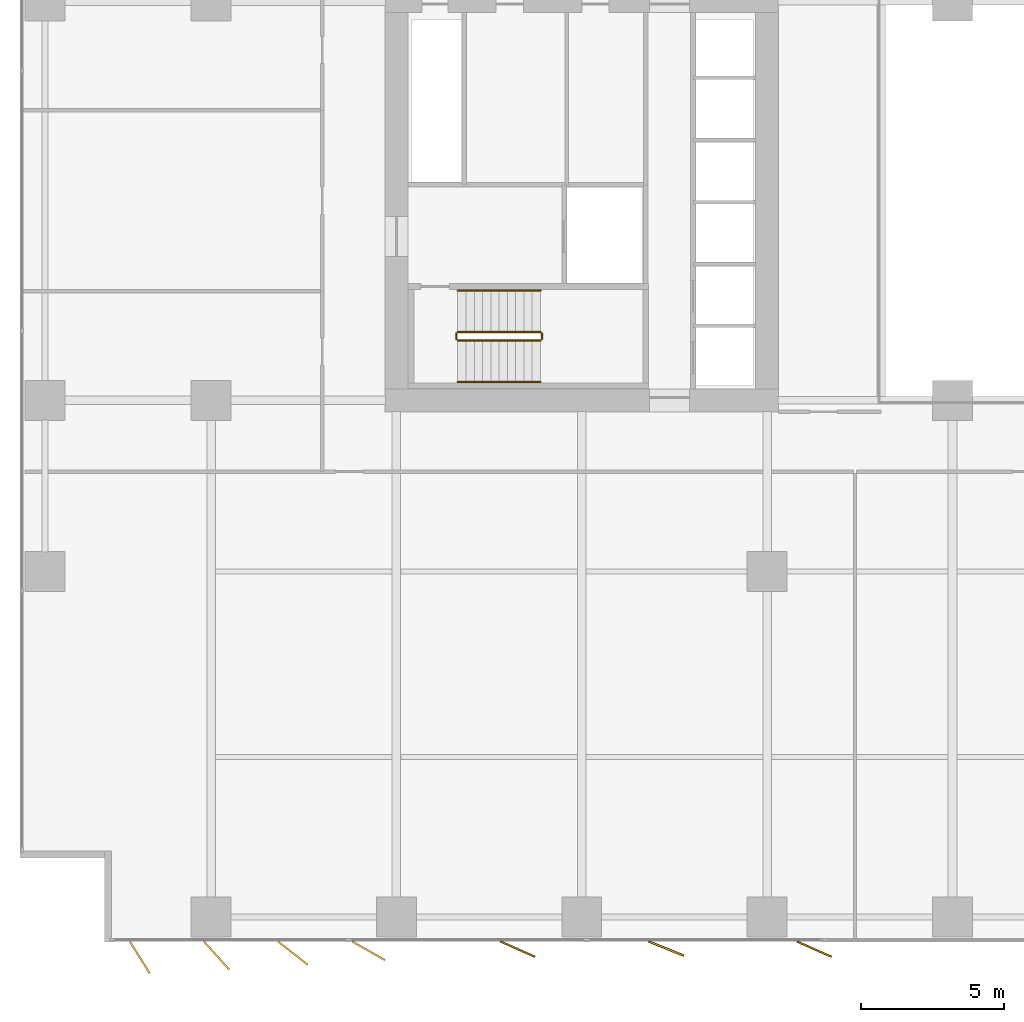
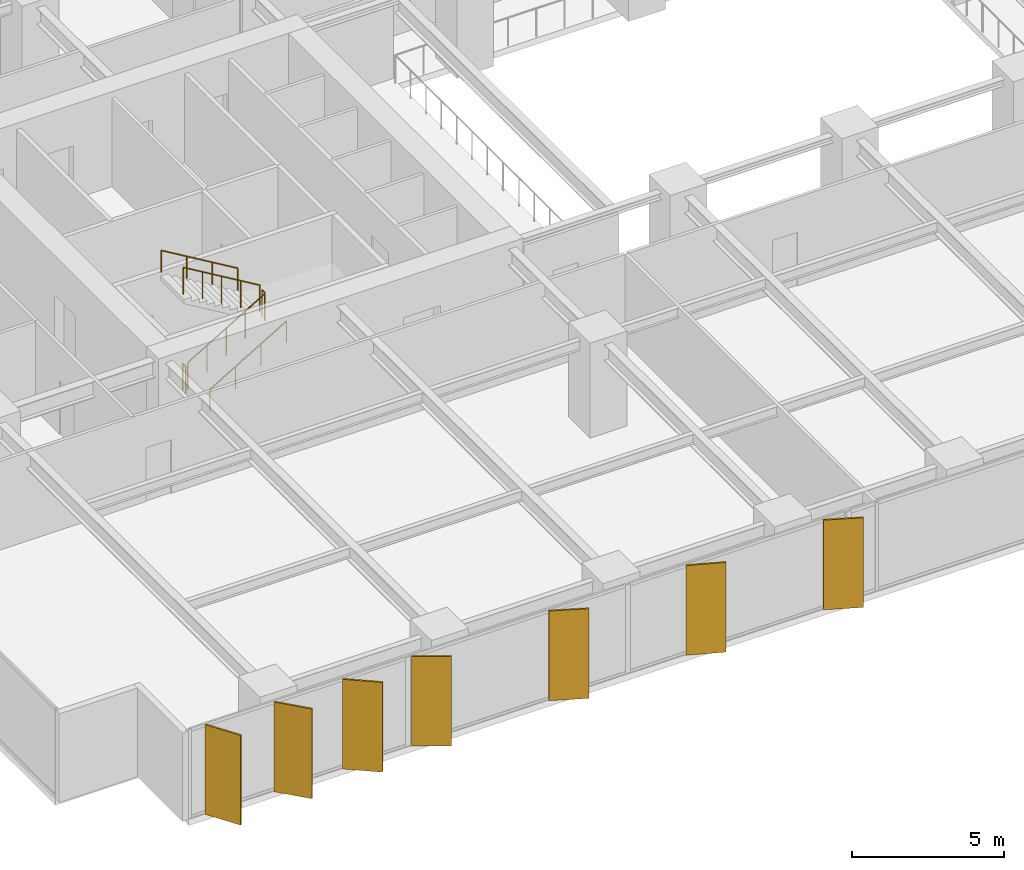
# One storey, part 17 of 20: 7 shading devices, 6 railings.
"""IFC4 building model written with IfcOpenShell, lengths in metres."""

import ifcopenshell
import ifcopenshell.guid

model = None  # the IFC model being written
_history = None  # IfcOwnerHistory: only IFC2X3 demands one
_inside = {}  # id of a spatial element -> (the spatial element, [elements in it])
_under = {}  # id of a project, library or spatial element -> (it, [spatial elements below it])
_declared = {}  # id of a project -> (the project, [libraries it declares])
_typed = {}  # id of a type object -> (the type object, [elements of that type])
_made_of = {}  # id of a material, layer set ... -> (it, [elements and type objects made of it])


def new_model(schema):
    """Start an empty IFC model of exactly this schema.

    Asked for "IFC4X3", IfcOpenShell would pick the latest addendum, in which some entities
    have other attributes; the version numbers below select the first issue.
    IFC2X3 requires an IfcOwnerHistory on every rooted entity: one is made here for all.
    """
    global model, _history
    if schema == "IFC4X3":
        model = ifcopenshell.file(schema_version=(4, 3, 0, 0))
    else:
        model = ifcopenshell.file(schema=schema)
    _inside.clear()
    _under.clear()
    _declared.clear()
    _typed.clear()
    _made_of.clear()
    _history = None
    if model.schema == "IFC2X3":
        org = make("IfcOrganization", Name="unknown")
        user = make(
            "IfcPersonAndOrganization",
            ThePerson=make("IfcPerson", FamilyName="unknown"),
            TheOrganization=org,
        )
        app = make(
            "IfcApplication",
            ApplicationDeveloper=org,
            Version="unknown",
            ApplicationFullName="unknown",
            ApplicationIdentifier="unknown",
        )
        _history = make(
            "IfcOwnerHistory",
            OwningUser=user,
            OwningApplication=app,
            ChangeAction="ADDED",
            CreationDate=0,
        )
    return model


def make(cls, **values):
    """One entity of the class cls with the attributes given. An attribute that is None is left unset."""
    return model.create_entity(
        cls, **{name: value for name, value in values.items() if value is not None}
    )


def rooted(cls, **values):
    """An entity with a GlobalId (a new one), such as an element, a storey or a relation."""
    return make(cls, GlobalId=ifcopenshell.guid.new(), OwnerHistory=_history, **values)


def si_unit(unit_type, name, prefix=None):
    """IfcSIUnit, for example si_unit("LENGTHUNIT", "METRE", prefix="MILLI")."""
    return make("IfcSIUnit", UnitType=unit_type, Prefix=prefix, Name=name)


def assignment(units):
    """IfcUnitAssignment: the units of a project."""
    return None if units is None else make("IfcUnitAssignment", Units=units)


def point(xyz):
    """IfcCartesianPoint."""
    return None if xyz is None else make("IfcCartesianPoint", Coordinates=xyz)


def direction(xyz):
    """IfcDirection."""
    return None if xyz is None else make("IfcDirection", DirectionRatios=xyz)


def frame(location, z_axis=None, x_axis=None):
    """IfcAxis2Placement3D, a coordinate frame: its origin and axes. An axis left out is left unset."""
    return make(
        "IfcAxis2Placement3D",
        Location=point(location),
        Axis=direction(z_axis),
        RefDirection=direction(x_axis),
    )


def frame_2d(location, x_axis=None):
    """IfcAxis2Placement2D, a coordinate frame in the plane: its origin and x axis."""
    return make(
        "IfcAxis2Placement2D", Location=point(location), RefDirection=direction(x_axis)
    )


def origin():
    """The frame at (0, 0, 0) with its axes left unset."""
    return frame((0.0, 0.0, 0.0))


def origin_2d():
    """The frame at (0, 0) in the plane with its x axis left unset."""
    return frame_2d((0.0, 0.0))


def place(relative_to, where):
    """IfcLocalPlacement: puts the frame where relative to a parent placement (None: the world)."""
    return make(
        "IfcLocalPlacement", PlacementRelTo=relative_to, RelativePlacement=where
    )


def context(
    kind, dimensions, precision=None, world=None, true_north=None, identifier=None
):
    """IfcGeometricRepresentationContext, for example the 3D "Model" context."""
    return make(
        "IfcGeometricRepresentationContext",
        ContextIdentifier=identifier,
        ContextType=kind,
        CoordinateSpaceDimension=dimensions,
        Precision=precision,
        WorldCoordinateSystem=world,
        TrueNorth=true_north,
    )


def subcontext(parent, identifier, kind, view, scale=None):
    """IfcGeometricRepresentationSubContext, for example "Body" below "Model"."""
    return make(
        "IfcGeometricRepresentationSubContext",
        ContextIdentifier=identifier,
        ContextType=kind,
        ParentContext=parent,
        TargetScale=scale,
        TargetView=view,
    )


def project(units=None, contexts=None):
    """IfcProject with its units and contexts."""
    return rooted(
        "IfcProject",
        Name="project",
        RepresentationContexts=contexts,
        UnitsInContext=assignment(units),
    )


def spatial(cls, under=None, at=None, **own):
    """A site, building, storey or space (cls), placed at a placement, below another one or the project."""
    s = rooted(cls, ObjectPlacement=at, **own)
    if under is not None:
        _under.setdefault(under.id(), (under, []))[1].append(s)
    return s


def profile(cls, at=None, kind="AREA", **sizes):
    """A parametric profile (cls). Its sizes go by their IFC names, for example OverallWidth=200.0."""
    return make(cls, ProfileType=kind, Position=at, **sizes)


def rectangle(**sizes):
    """IfcRectangleProfileDef."""
    return profile("IfcRectangleProfileDef", **sizes)


def circle(**sizes):
    """IfcCircleProfileDef."""
    return profile("IfcCircleProfileDef", **sizes)


def extrude(swept, where, along, depth):
    """IfcExtrudedAreaSolid: the profile swept, set in the frame where, extruded along a direction by depth."""
    return make(
        "IfcExtrudedAreaSolid",
        SweptArea=swept,
        Position=where,
        ExtrudedDirection=direction(along),
        Depth=depth,
    )


def shape(context_of_items, identifier, shape_type, items):
    """IfcShapeRepresentation: the items that make up one representation, for example the "Body"."""
    return make(
        "IfcShapeRepresentation",
        ContextOfItems=context_of_items,
        RepresentationIdentifier=identifier,
        RepresentationType=shape_type,
        Items=items,
    )


def material(Name=None, Category=None):
    """IfcMaterial."""
    return make("IfcMaterial", Name=Name, Category=Category)


def layer(
    of_material, thickness, ventilated=None, Name=None, Category=None, Priority=None
):
    """IfcMaterialLayer: one layer of a wall or slab, of a material (None: an air gap)."""
    return make(
        "IfcMaterialLayer",
        Material=of_material,
        LayerThickness=thickness,
        IsVentilated=ventilated,
        Name=Name,
        Category=Category,
        Priority=Priority,
    )


def layer_set(layers, Name=None):
    """IfcMaterialLayerSet."""
    return make("IfcMaterialLayerSet", MaterialLayers=layers, LayerSetName=Name)


def made_of(thing, what):
    """Note that an element or type object is made of a material, layer set ...; save() writes the relation."""
    if what is not None:
        _made_of.setdefault(what.id(), (what, []))[1].append(thing)
    return thing


def type_object(cls, material=None, **own):
    """A type object (cls), such as IfcWallType, which elements share."""
    return made_of(rooted(cls, **own), material)


def element(
    cls,
    number,
    at=None,
    inside=None,
    cuts=None,
    type_object=None,
    material=None,
    context=None,
    identifier="Body",
    shape_type=None,
    held_by="IfcProductDefinitionShape",
    body=None,
    shapes=None,
    **own,
):
    """One element of the class cls, such as IfcWall. Its Tag is "e" and its number.

    at: its placement. inside: the storey or other place that contains it. cuts: it is an
    opening in that element (IfcRelVoidsElement). A single representation is given by context,
    identifier, shape_type and body (its items); several are given by shapes. held_by: the class
    of the entity that holds the representations. save() writes the other relations.
    """
    e = rooted(cls, Tag="e%d" % number, ObjectPlacement=at, **own)
    if body is not None:
        shapes = [shape(context, identifier, shape_type, body)]
    if shapes is not None:
        e.Representation = make(held_by, Representations=shapes)
    if inside is not None:
        _inside.setdefault(inside.id(), (inside, []))[1].append(e)
    if cuts is not None:
        rooted(
            "IfcRelVoidsElement", RelatingBuildingElement=cuts, RelatedOpeningElement=e
        )
    if type_object is not None:
        _typed.setdefault(type_object.id(), (type_object, []))[1].append(e)
    return made_of(e, material)


def aggregate(whole, parts):
    """IfcRelAggregates: a whole, such as a stair, and the parts it consists of."""
    return rooted("IfcRelAggregates", RelatingObject=whole, RelatedObjects=parts)


def save(model, path):
    """Write the relations noted so far, then the file.

    IfcRelAggregates (storeys below a building ...), IfcRelContainedInSpatialStructure (elements
    in a storey), IfcRelDefinesByType, IfcRelAssociatesMaterial and IfcRelDeclares: one each for
    every whole, place, type object, material and project.
    """
    for whole, parts in _under.values():
        aggregate(whole, parts)
    for where, things in _inside.values():
        rooted(
            "IfcRelContainedInSpatialStructure",
            RelatedElements=things,
            RelatingStructure=where,
        )
    for kind, things in _typed.values():
        rooted("IfcRelDefinesByType", RelatedObjects=things, RelatingType=kind)
    for what, things in _made_of.values():
        rooted("IfcRelAssociatesMaterial", RelatedObjects=things, RelatingMaterial=what)
    for by, libraries in _declared.values():
        rooted("IfcRelDeclares", RelatingContext=by, RelatedDefinitions=libraries)
    model.write(path)


model = new_model("IFC4")

# Units and contexts
model_context = context("Model", 3, precision=1e-05, world=origin(), true_north=direction((0.0, 1.0)))
body_context = subcontext(model_context, "Body", "Model", "MODEL_VIEW")
ifc_project = project(units=[si_unit("LENGTHUNIT", "METRE"), si_unit("AREAUNIT", "SQUARE_METRE"), si_unit("VOLUMEUNIT", "CUBIC_METRE"), si_unit("PLANEANGLEUNIT", "RADIAN"), si_unit("MASSUNIT", "GRAM", prefix="KILO")], contexts=[model_context])

# Site, building, storey
site_placement = place(None, origin())
site = spatial("IfcSite", under=ifc_project, at=site_placement, CompositionType="ELEMENT")
building_placement = place(site_placement, origin())
building = spatial("IfcBuilding", under=site, at=building_placement, Name="Putna Gate Headquarters", CompositionType="ELEMENT")
storey_placement = place(building_placement, frame((0.0, 0.0, 50.60009765625)))
storey = spatial("IfcBuildingStorey", under=building, at=storey_placement, Name="L11", CompositionType="ELEMENT", Elevation=50.60009765625)

# Railings
ifc_material_1 = material(Name="Powder-coated steel stair guardrail", Category="steel")
railing_type_1 = type_object("IfcRailingType", Name="RAIL-STAIR-GUARD-1100", PredefinedType="GUARDRAIL", material=ifc_material_1)
railing_1_placement = place(storey_placement, frame((15.14990234375, 21.10009765625, 0.172607421875)))
element("IfcRailing", 1, at=railing_1_placement, inside=storey, type_object=railing_type_1, Name="L11 ST1 stair guard 1", PredefinedType="GUARDRAIL", context=body_context, shape_type="SweptSolid", body=[
    extrude(circle(Radius=0.02392578125, at=origin_2d()), frame((0.0, 0.0, 1.076171875), z_axis=(0.859160404282, 0.0, 0.51170636083), x_axis=(0.0, 1.0, 0.0)), (0.0, 0.0, 1.0), 3.37548828125),
    extrude(circle(Radius=0.02099609375, at=origin_2d()), origin(), (0.0, 0.0, 1.0), 1.052001953125),
    extrude(circle(Radius=0.02099609375, at=origin_2d()), frame((0.72509765625, 0.0, 0.431884765625)), (0.0, 0.0, 1.0), 1.052001953125),
    extrude(circle(Radius=0.02099609375, at=origin_2d()), frame((1.4501953125, 0.0, 0.86376953125)), (0.0, 0.0, 1.0), 1.052001953125),
    extrude(circle(Radius=0.02099609375, at=origin_2d()), frame((2.175048828125, 0.0, 1.29541015625)), (0.0, 0.0, 1.0), 1.052001953125),
    extrude(circle(Radius=0.02099609375, at=origin_2d()), frame((2.900146484375, 0.0, 1.727294921875)), (0.0, 0.0, 1.0), 1.052001953125),
])
railing_2_placement = place(storey_placement, frame((18.10009765625, 21.14990234375, 1.89990234375)))
element("IfcRailing", 2, at=railing_2_placement, inside=storey, type_object=railing_type_1, Name="L11 ST1 stair guard 2", PredefinedType="GUARDRAIL", context=body_context, shape_type="SweptSolid", body=[
    extrude(circle(Radius=0.02392578125, at=origin_2d()), frame((0.0, 0.0, 1.076171875), z_axis=(0.0, 1.0, 0.0), x_axis=(-1.0, 0.0, 0.0)), (0.0, 0.0, 1.0), 0.2001953125),
    extrude(circle(Radius=0.02099609375, at=origin_2d()), origin(), (0.0, 0.0, 1.0), 1.052001953125),
    extrude(circle(Radius=0.02099609375, at=origin_2d()), frame((0.0, 0.2001953125, 0.0)), (0.0, 0.0, 1.0), 1.052001953125),
])
railing_3_placement = place(storey_placement, frame((18.050048828125, 21.39990234375, 2.072509765625)))
element("IfcRailing", 3, at=railing_3_placement, inside=storey, type_object=railing_type_1, Name="L11 ST1 stair guard 3", PredefinedType="GUARDRAIL", context=body_context, shape_type="SweptSolid", body=[
    extrude(circle(Radius=0.02392578125, at=origin_2d()), frame((0.0, 0.0, 1.076171875), z_axis=(-0.859160404282, 0.0, 0.51170636083), x_axis=(0.0, -1.0, 0.0)), (0.0, 0.0, 1.0), 3.37548828125),
    extrude(circle(Radius=0.02099609375, at=origin_2d()), origin(), (0.0, 0.0, 1.0), 1.052001953125),
    extrude(circle(Radius=0.02099609375, at=origin_2d()), frame((-0.72509765625, 0.0, 0.431884765625)), (0.0, 0.0, 1.0), 1.052001953125),
    extrude(circle(Radius=0.02099609375, at=origin_2d()), frame((-1.4501953125, 0.0, 0.86376953125)), (0.0, 0.0, 1.0), 1.052001953125),
    extrude(circle(Radius=0.02099609375, at=origin_2d()), frame((-2.175048828125, 0.0, 1.29541015625)), (0.0, 0.0, 1.0), 1.052001953125),
    extrude(circle(Radius=0.02099609375, at=origin_2d()), frame((-2.900146484375, 0.0, 1.727294921875)), (0.0, 0.0, 1.0), 1.052001953125),
])
railing_4_placement = place(storey_placement, frame((15.10009765625, 21.14990234375, 0.0)))
element("IfcRailing", 4, at=railing_4_placement, inside=storey, type_object=railing_type_1, Name="L11 ST1 stair guard 4", PredefinedType="GUARDRAIL", context=body_context, shape_type="SweptSolid", body=[
    extrude(circle(Radius=0.02392578125, at=origin_2d()), frame((0.0, 0.0, 1.076171875), z_axis=(0.0, 1.0, 0.0), x_axis=(-1.0, 0.0, 0.0)), (0.0, 0.0, 1.0), 0.2001953125),
    extrude(circle(Radius=0.02099609375, at=origin_2d()), origin(), (0.0, 0.0, 1.0), 1.052001953125),
    extrude(circle(Radius=0.02099609375, at=origin_2d()), frame((0.0, 0.2001953125, 0.0)), (0.0, 0.0, 1.0), 1.052001953125),
])
ifc_material_2 = material(Name="Brushed stainless steel handrail", Category="steel")
railing_type_2 = type_object("IfcRailingType", Name="RAIL-STAIR-HAND-900", PredefinedType="HANDRAIL", material=ifc_material_2)
railing_5_placement = place(storey_placement, frame((15.14990234375, 19.64990234375, 0.172607421875)))
element("IfcRailing", 5, at=railing_5_placement, inside=storey, type_object=railing_type_2, Name="L11 ST1 stair handrail 1", PredefinedType="HANDRAIL", context=body_context, shape_type="SweptSolid", body=[
    extrude(circle(Radius=0.02392578125, at=origin_2d()), frame((0.0, 0.0, 0.8759765625), z_axis=(0.859160404282, 0.0, 0.51170636083), x_axis=(0.0, 1.0, 0.0)), (0.0, 0.0, 1.0), 3.37548828125),
    extrude(circle(Radius=0.02099609375, at=origin_2d()), origin(), (0.0, 0.0, 1.0), 0.851806640625),
    extrude(circle(Radius=0.02099609375, at=origin_2d()), frame((0.966796875, 0.0, 0.57568359375)), (0.0, 0.0, 1.0), 0.851806640625),
    extrude(circle(Radius=0.02099609375, at=origin_2d()), frame((1.933349609375, 0.0, 1.151611328125)), (0.0, 0.0, 1.0), 0.851806640625),
    extrude(circle(Radius=0.02099609375, at=origin_2d()), frame((2.900146484375, 0.0, 1.727294921875)), (0.0, 0.0, 1.0), 0.851806640625),
])
railing_6_placement = place(storey_placement, frame((18.050048828125, 22.85009765625, 2.072509765625)))
element("IfcRailing", 6, at=railing_6_placement, inside=storey, type_object=railing_type_2, Name="L11 ST1 stair handrail 2", PredefinedType="HANDRAIL", context=body_context, shape_type="SweptSolid", body=[
    extrude(circle(Radius=0.02392578125, at=origin_2d()), frame((0.0, 0.0, 0.8759765625), z_axis=(-0.859160404282, 0.0, 0.51170636083), x_axis=(0.0, -1.0, 0.0)), (0.0, 0.0, 1.0), 3.37548828125),
    extrude(circle(Radius=0.02099609375, at=origin_2d()), origin(), (0.0, 0.0, 1.0), 0.851806640625),
    extrude(circle(Radius=0.02099609375, at=origin_2d()), frame((-0.966796875, 0.0, 0.57568359375)), (0.0, 0.0, 1.0), 0.851806640625),
    extrude(circle(Radius=0.02099609375, at=origin_2d()), frame((-1.933349609375, 0.0, 1.151611328125)), (0.0, 0.0, 1.0), 0.851806640625),
    extrude(circle(Radius=0.02099609375, at=origin_2d()), frame((-2.900146484375, 0.0, 1.727294921875)), (0.0, 0.0, 1.0), 0.851806640625),
])

# Shading devices
ifc_material_3 = material(Name="Anodised architectural bronze aluminium fin", Category="aluminium")
ifc_layer = layer(ifc_material_3, 0.06494140625)
ifc_layer_set = layer_set([ifc_layer], Name="Anodised architectural bronze aluminium fin")
shading_device_type = type_object("IfcShadingDeviceType", Name="SHADE-BRONZE-FIN-1320", PredefinedType="USERDEFINED", material=ifc_layer_set)
for number, where, z_axis, x_axis, name in (
    (7, (4.000244140625, -0.534423828125, -0.02001953125), (0.0, 0.0, 1.0), (0.530659123936, -0.847585331506, 0.0), "L11 Bronze Vertical Shading Fin S1"),
    (8, (6.691650390625, -0.465576171875, -0.02001953125), (0.0, 0.0, 1.0), (0.669130606359, -0.743144825477, 0.0), "L11 Bronze Vertical Shading Fin S2"),
    (9, (9.36962890625, -0.3818359375, -0.02001953125), (0.0, 0.0, 1.0), (0.787473187632, -0.616348909921, 0.0), "L11 Bronze Vertical Shading Fin S3"),
    (10, (12.023681640625, -0.30126953125, -0.02001953125), (0.0, 0.0, 1.0), (0.869322458298, -0.494245347472, 0.0), "L11 Bronze Vertical Shading Fin S4"),
    (11, (17.2529296875, -0.2431640625, -0.02001953125), (0.0, 0.0, 1.0), (0.913687379856, -0.40641773078, 0.0), "L11 Bronze Vertical Shading Fin S5"),
    (12, (22.4619140625, -0.22216796875, -0.02001953125), (0.0, 0.0, 1.0), (0.927183854567, -0.374606593416, 0.0), "L11 Bronze Vertical Shading Fin S6"),
    (13, (27.653076171875, -0.2431640625, -0.02001953125), (0.0, 0.0, 1.0), (0.913687379856, -0.40641773078, 0.0), "L11 Bronze Vertical Shading Fin S7"),
):
    element("IfcShadingDevice", number, at=place(storey_placement, frame(where, z_axis=z_axis, x_axis=x_axis)), inside=storey, type_object=shading_device_type, Name=name, ObjectType="FIN", PredefinedType="USERDEFINED", context=body_context, shape_type="SweptSolid", body=[
        extrude(rectangle(XDim=1.320068359375, YDim=0.06494140625, at=origin_2d()), origin(), (0.0, 0.0, 1.0), 3.590087890625),
    ])

save(model, "model.ifc")
